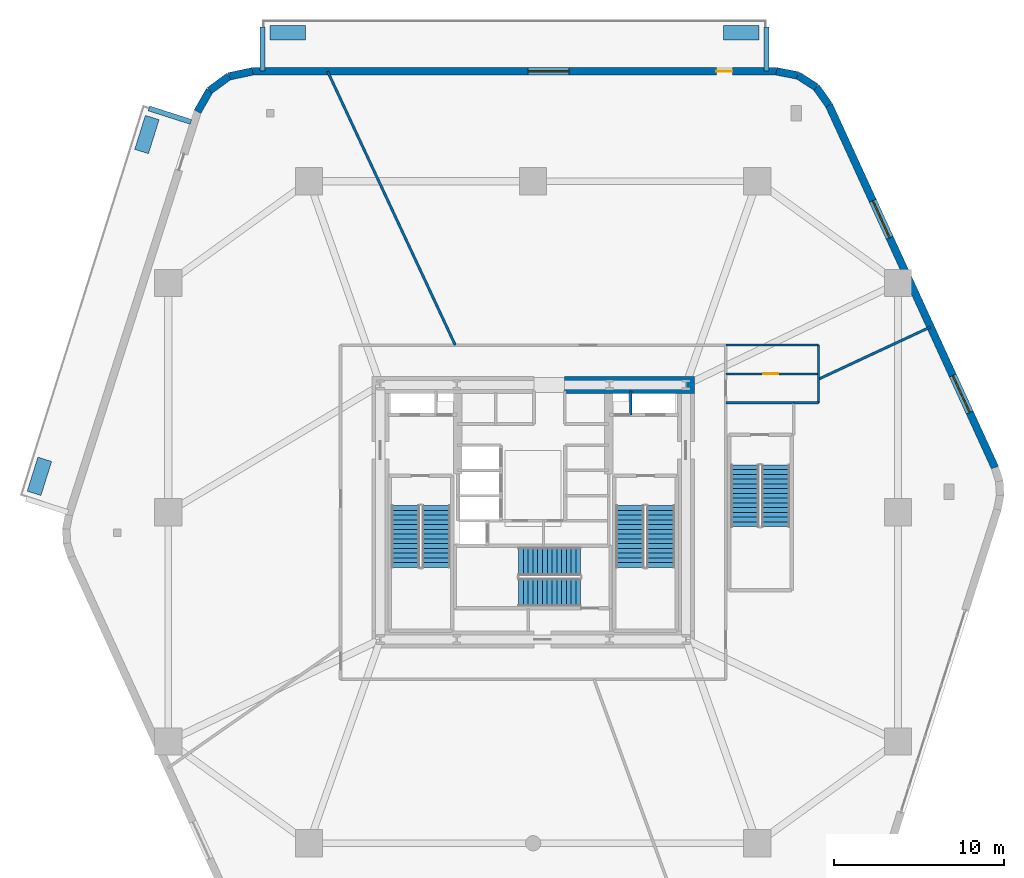
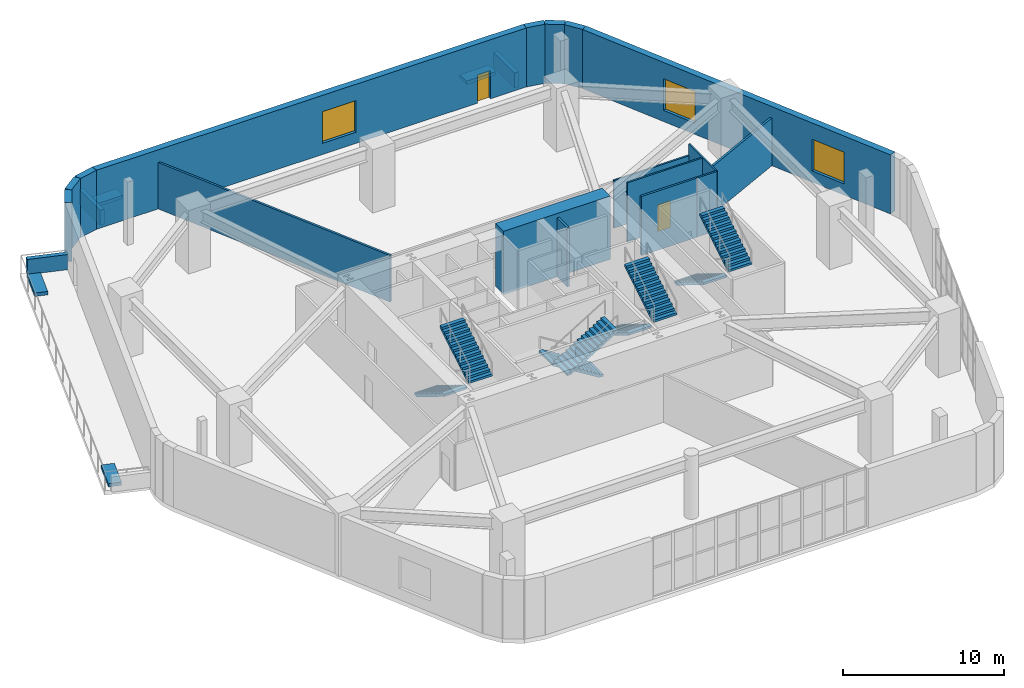
# One storey, part 13 of 15: 20 walls, 8 stair flights, 4 discrete accessories, 3 windows, 2 doors, 5 openings, 4 elements without a shape of their own.
"""IFC4 building model written with IfcOpenShell, lengths in metres."""

import ifcopenshell
import ifcopenshell.guid

model = None  # the IFC model being written
_history = None  # IfcOwnerHistory: only IFC2X3 demands one
_inside = {}  # id of a spatial element -> (the spatial element, [elements in it])
_under = {}  # id of a project, library or spatial element -> (it, [spatial elements below it])
_declared = {}  # id of a project -> (the project, [libraries it declares])
_typed = {}  # id of a type object -> (the type object, [elements of that type])
_made_of = {}  # id of a material, layer set ... -> (it, [elements and type objects made of it])


def new_model(schema):
    """Start an empty IFC model of exactly this schema.

    Asked for "IFC4X3", IfcOpenShell would pick the latest addendum, in which some entities
    have other attributes; the version numbers below select the first issue.
    IFC2X3 requires an IfcOwnerHistory on every rooted entity: one is made here for all.
    """
    global model, _history
    if schema == "IFC4X3":
        model = ifcopenshell.file(schema_version=(4, 3, 0, 0))
    else:
        model = ifcopenshell.file(schema=schema)
    _inside.clear()
    _under.clear()
    _declared.clear()
    _typed.clear()
    _made_of.clear()
    _history = None
    if model.schema == "IFC2X3":
        org = make("IfcOrganization", Name="unknown")
        user = make(
            "IfcPersonAndOrganization",
            ThePerson=make("IfcPerson", FamilyName="unknown"),
            TheOrganization=org,
        )
        app = make(
            "IfcApplication",
            ApplicationDeveloper=org,
            Version="unknown",
            ApplicationFullName="unknown",
            ApplicationIdentifier="unknown",
        )
        _history = make(
            "IfcOwnerHistory",
            OwningUser=user,
            OwningApplication=app,
            ChangeAction="ADDED",
            CreationDate=0,
        )
    return model


def make(cls, **values):
    """One entity of the class cls with the attributes given. An attribute that is None is left unset."""
    return model.create_entity(
        cls, **{name: value for name, value in values.items() if value is not None}
    )


def rooted(cls, **values):
    """An entity with a GlobalId (a new one), such as an element, a storey or a relation."""
    return make(cls, GlobalId=ifcopenshell.guid.new(), OwnerHistory=_history, **values)


def si_unit(unit_type, name, prefix=None):
    """IfcSIUnit, for example si_unit("LENGTHUNIT", "METRE", prefix="MILLI")."""
    return make("IfcSIUnit", UnitType=unit_type, Prefix=prefix, Name=name)


def assignment(units):
    """IfcUnitAssignment: the units of a project."""
    return None if units is None else make("IfcUnitAssignment", Units=units)


def point(xyz):
    """IfcCartesianPoint."""
    return None if xyz is None else make("IfcCartesianPoint", Coordinates=xyz)


def direction(xyz):
    """IfcDirection."""
    return None if xyz is None else make("IfcDirection", DirectionRatios=xyz)


def frame(location, z_axis=None, x_axis=None):
    """IfcAxis2Placement3D, a coordinate frame: its origin and axes. An axis left out is left unset."""
    return make(
        "IfcAxis2Placement3D",
        Location=point(location),
        Axis=direction(z_axis),
        RefDirection=direction(x_axis),
    )


def frame_2d(location, x_axis=None):
    """IfcAxis2Placement2D, a coordinate frame in the plane: its origin and x axis."""
    return make(
        "IfcAxis2Placement2D", Location=point(location), RefDirection=direction(x_axis)
    )


def origin():
    """The frame at (0, 0, 0) with its axes left unset."""
    return frame((0.0, 0.0, 0.0))


def origin_2d():
    """The frame at (0, 0) in the plane with its x axis left unset."""
    return frame_2d((0.0, 0.0))


def place(relative_to, where):
    """IfcLocalPlacement: puts the frame where relative to a parent placement (None: the world)."""
    return make(
        "IfcLocalPlacement", PlacementRelTo=relative_to, RelativePlacement=where
    )


def context(
    kind, dimensions, precision=None, world=None, true_north=None, identifier=None
):
    """IfcGeometricRepresentationContext, for example the 3D "Model" context."""
    return make(
        "IfcGeometricRepresentationContext",
        ContextIdentifier=identifier,
        ContextType=kind,
        CoordinateSpaceDimension=dimensions,
        Precision=precision,
        WorldCoordinateSystem=world,
        TrueNorth=true_north,
    )


def subcontext(parent, identifier, kind, view, scale=None):
    """IfcGeometricRepresentationSubContext, for example "Body" below "Model"."""
    return make(
        "IfcGeometricRepresentationSubContext",
        ContextIdentifier=identifier,
        ContextType=kind,
        ParentContext=parent,
        TargetScale=scale,
        TargetView=view,
    )


def project(units=None, contexts=None):
    """IfcProject with its units and contexts."""
    return rooted(
        "IfcProject",
        Name="project",
        RepresentationContexts=contexts,
        UnitsInContext=assignment(units),
    )


def spatial(cls, under=None, at=None, **own):
    """A site, building, storey or space (cls), placed at a placement, below another one or the project."""
    s = rooted(cls, ObjectPlacement=at, **own)
    if under is not None:
        _under.setdefault(under.id(), (under, []))[1].append(s)
    return s


def polyline(points):
    """IfcPolyline through the points."""
    return make("IfcPolyline", Points=[point(p) for p in points])


def profile(cls, at=None, kind="AREA", **sizes):
    """A parametric profile (cls). Its sizes go by their IFC names, for example OverallWidth=200.0."""
    return make(cls, ProfileType=kind, Position=at, **sizes)


def rectangle(**sizes):
    """IfcRectangleProfileDef."""
    return profile("IfcRectangleProfileDef", **sizes)


def outline(outer, holes=None, kind="AREA"):
    """IfcArbitraryClosedProfileDef: a profile drawn as a closed curve; with holes, ...WithVoids."""
    if holes is None:
        return make("IfcArbitraryClosedProfileDef", ProfileType=kind, OuterCurve=outer)
    return make(
        "IfcArbitraryProfileDefWithVoids",
        ProfileType=kind,
        OuterCurve=outer,
        InnerCurves=holes,
    )


def extrude(swept, where, along, depth):
    """IfcExtrudedAreaSolid: the profile swept, set in the frame where, extruded along a direction by depth."""
    return make(
        "IfcExtrudedAreaSolid",
        SweptArea=swept,
        Position=where,
        ExtrudedDirection=direction(along),
        Depth=depth,
    )


def shape(context_of_items, identifier, shape_type, items):
    """IfcShapeRepresentation: the items that make up one representation, for example the "Body"."""
    return make(
        "IfcShapeRepresentation",
        ContextOfItems=context_of_items,
        RepresentationIdentifier=identifier,
        RepresentationType=shape_type,
        Items=items,
    )


def material(Name=None, Category=None):
    """IfcMaterial."""
    return make("IfcMaterial", Name=Name, Category=Category)


def layer(
    of_material, thickness, ventilated=None, Name=None, Category=None, Priority=None
):
    """IfcMaterialLayer: one layer of a wall or slab, of a material (None: an air gap)."""
    return make(
        "IfcMaterialLayer",
        Material=of_material,
        LayerThickness=thickness,
        IsVentilated=ventilated,
        Name=Name,
        Category=Category,
        Priority=Priority,
    )


def layer_set(layers, Name=None):
    """IfcMaterialLayerSet."""
    return make("IfcMaterialLayerSet", MaterialLayers=layers, LayerSetName=Name)


def made_of(thing, what):
    """Note that an element or type object is made of a material, layer set ...; save() writes the relation."""
    if what is not None:
        _made_of.setdefault(what.id(), (what, []))[1].append(thing)
    return thing


def type_object(cls, material=None, **own):
    """A type object (cls), such as IfcWallType, which elements share."""
    return made_of(rooted(cls, **own), material)


def element(
    cls,
    number,
    at=None,
    inside=None,
    cuts=None,
    type_object=None,
    material=None,
    context=None,
    identifier="Body",
    shape_type=None,
    held_by="IfcProductDefinitionShape",
    body=None,
    shapes=None,
    **own,
):
    """One element of the class cls, such as IfcWall. Its Tag is "e" and its number.

    at: its placement. inside: the storey or other place that contains it. cuts: it is an
    opening in that element (IfcRelVoidsElement). A single representation is given by context,
    identifier, shape_type and body (its items); several are given by shapes. held_by: the class
    of the entity that holds the representations. save() writes the other relations.
    """
    e = rooted(cls, Tag="e%d" % number, ObjectPlacement=at, **own)
    if body is not None:
        shapes = [shape(context, identifier, shape_type, body)]
    if shapes is not None:
        e.Representation = make(held_by, Representations=shapes)
    if inside is not None:
        _inside.setdefault(inside.id(), (inside, []))[1].append(e)
    if cuts is not None:
        rooted(
            "IfcRelVoidsElement", RelatingBuildingElement=cuts, RelatedOpeningElement=e
        )
    if type_object is not None:
        _typed.setdefault(type_object.id(), (type_object, []))[1].append(e)
    return made_of(e, material)


def fill(opening, filler):
    """IfcRelFillsElement: the door or window that sits in an opening."""
    return rooted(
        "IfcRelFillsElement",
        RelatingOpeningElement=opening,
        RelatedBuildingElement=filler,
    )


def aggregate(whole, parts):
    """IfcRelAggregates: a whole, such as a stair, and the parts it consists of."""
    return rooted("IfcRelAggregates", RelatingObject=whole, RelatedObjects=parts)


def save(model, path):
    """Write the relations noted so far, then the file.

    IfcRelAggregates (storeys below a building ...), IfcRelContainedInSpatialStructure (elements
    in a storey), IfcRelDefinesByType, IfcRelAssociatesMaterial and IfcRelDeclares: one each for
    every whole, place, type object, material and project.
    """
    for whole, parts in _under.values():
        aggregate(whole, parts)
    for where, things in _inside.values():
        rooted(
            "IfcRelContainedInSpatialStructure",
            RelatedElements=things,
            RelatingStructure=where,
        )
    for kind, things in _typed.values():
        rooted("IfcRelDefinesByType", RelatedObjects=things, RelatingType=kind)
    for what, things in _made_of.values():
        rooted("IfcRelAssociatesMaterial", RelatedObjects=things, RelatingMaterial=what)
    for by, libraries in _declared.values():
        rooted("IfcRelDeclares", RelatingContext=by, RelatedDefinitions=libraries)
    model.write(path)


model = new_model("IFC4")

# Units and contexts
model_context = context("Model", 3, precision=1e-05, world=origin(), true_north=direction((0.0, 1.0)))
body_context = subcontext(model_context, "Body", "Model", "MODEL_VIEW")
ifc_project = project(units=[si_unit("LENGTHUNIT", "METRE"), si_unit("AREAUNIT", "SQUARE_METRE"), si_unit("VOLUMEUNIT", "CUBIC_METRE"), si_unit("PLANEANGLEUNIT", "RADIAN"), si_unit("MASSUNIT", "GRAM", prefix="KILO")], contexts=[model_context])

# Site, building, storey
site_placement = place(None, origin())
site = spatial("IfcSite", under=ifc_project, at=site_placement, CompositionType="ELEMENT")
building_placement = place(site_placement, origin())
building = spatial("IfcBuilding", under=site, at=building_placement, Name="Kilnhurst Terrace Hotel", CompositionType="ELEMENT")
storey_placement = place(building_placement, frame((0.0, 0.0, 23.39990234375)))
storey = spatial("IfcBuildingStorey", under=building, at=storey_placement, Name="L04", CompositionType="ELEMENT", Elevation=23.39990234375)

# Walls
ifc_material_1 = material(Name="Precast concrete C40/50", Category="concrete")
ifc_layer_1 = layer(ifc_material_1, 0.449951171875, Name="Precast concrete C40/50")
ifc_layer_set_1 = layer_set([ifc_layer_1], Name="Precast concrete C40/50")
wall_type_1 = type_object("IfcWallType", Name="WL-BRK-450", PredefinedType="SOLIDWALL", material=ifc_layer_set_1)
wall_1_placement = place(storey_placement, frame((17.426513671875, 23.98583984375, 0.0), z_axis=(0.0, 0.0, 1.0), x_axis=(-0.580668110146, 0.814140372331, 0.0)))
element("IfcWall", 1, at=wall_1_placement, inside=storey, type_object=wall_type_1, Name="L04 Rounded Corner Brick Wall C4.1", PredefinedType="SOLIDWALL", context=body_context, shape_type="SweptSolid", body=[
    extrude(rectangle(XDim=1.296630859375, YDim=0.449951171875, at=frame_2d((0.6484375, 0.0))), origin(), (0.0, 0.0, 1.0), 4.47998046875),
])
wall_2_placement = place(storey_placement, frame((16.673583984375, 25.04150390625, 0.0), z_axis=(0.0, 0.0, 1.0), x_axis=(-0.84167601366, 0.539982859014, 0.0)))
element("IfcWall", 2, at=wall_2_placement, inside=storey, type_object=wall_type_1, Name="L04 Rounded Corner Brick Wall C4.2", PredefinedType="SOLIDWALL", context=body_context, shape_type="SweptSolid", body=[
    extrude(rectangle(XDim=1.274658203125, YDim=0.449951171875, at=frame_2d((0.63720703125, 0.0))), origin(), (0.0, 0.0, 1.0), 4.47998046875),
])
wall_3_placement = place(storey_placement, frame((15.600830078125, 25.729736328125, 0.0), z_axis=(0.0, 0.0, 1.0), x_axis=(-0.981932506301, 0.189231480121, 0.0)))
element("IfcWall", 3, at=wall_3_placement, inside=storey, type_object=wall_type_1, Name="L04 Rounded Corner Brick Wall C4.3", PredefinedType="SOLIDWALL", context=body_context, shape_type="SweptSolid", body=[
    extrude(rectangle(XDim=1.296630859375, YDim=0.449951171875, at=frame_2d((0.6484375, 0.0))), origin(), (0.0, 0.0, 1.0), 4.47998046875),
])
wall_4_placement = place(storey_placement, frame((-16.526123046875, 25.97509765625, 0.0), z_axis=(0.0, 0.0, 1.0), x_axis=(-0.977966843806, -0.208760274995, 0.0)))
element("IfcWall", 4, at=wall_4_placement, inside=storey, type_object=wall_type_1, Name="L04 Rounded Corner Brick Wall C5.1", PredefinedType="SOLIDWALL", context=body_context, shape_type="SweptSolid", body=[
    extrude(rectangle(XDim=1.431396484375, YDim=0.449951171875, at=frame_2d((0.7158203125, 0.0))), origin(), (0.0, 0.0, 1.0), 4.47998046875),
])
wall_5_placement = place(storey_placement, frame((-17.926025390625, 25.67626953125, 0.0), z_axis=(0.0, 0.0, 1.0), x_axis=(-0.80747376574, -0.589903481632, 0.0)))
element("IfcWall", 5, at=wall_5_placement, inside=storey, type_object=wall_type_1, Name="L04 Rounded Corner Brick Wall C5.2", PredefinedType="SOLIDWALL", context=body_context, shape_type="SweptSolid", body=[
    extrude(rectangle(XDim=1.4072265625, YDim=0.449951171875, at=frame_2d((0.70361328125, 0.0))), origin(), (0.0, 0.0, 1.0), 4.47998046875),
])
wall_6_placement = place(storey_placement, frame((-19.062255859375, 24.84619140625, 0.0), z_axis=(0.0, 0.0, 1.0), x_axis=(-0.496194045245, -0.868211650154, 0.0)))
element("IfcWall", 6, at=wall_6_placement, inside=storey, type_object=wall_type_1, Name="L04 Rounded Corner Brick Wall C5.3", PredefinedType="SOLIDWALL", context=body_context, shape_type="SweptSolid", body=[
    extrude(rectangle(XDim=1.431396484375, YDim=0.449951171875, at=frame_2d((0.7158203125, 0.0))), origin(), (0.0, 0.0, 1.0), 4.47998046875),
])

# Wall, openings, windows
wall_7_placement = place(storey_placement, frame((27.209716796875, 2.626220703125, 0.0), z_axis=(0.0, 0.0, 1.0), x_axis=(-0.416421752646, 0.909171559126, 0.0)))
wall_7 = element("IfcWall", 7, at=wall_7_placement, inside=storey, type_object=wall_type_1, Name="L04 Exterior Brick Facade Wall F3", PredefinedType="SOLIDWALL", context=body_context, shape_type="SweptSolid", body=[
    extrude(rectangle(XDim=23.493408203125, YDim=0.449951171875, at=frame_2d((11.74658203125, 0.0))), origin(), (0.0, 0.0, 1.0), 4.47998046875),
])
opening_1_placement = place(wall_7_placement, frame((3.570068359375, 0.0, 0.85009765625)))
opening_1 = element("IfcOpeningElement", 8, at=opening_1_placement, cuts=wall_7, Name="Opening W-07", PredefinedType="OPENING", context=body_context, shape_type="SweptSolid", body=[
    extrude(rectangle(XDim=2.39990234375, YDim=2.39990234375, at=frame_2d((1.199951171875, 1.199951171875))), frame((0.0, 0.23486328125, 0.0), z_axis=(0.0, -1.0, 0.0), x_axis=(1.0, 0.0, 0.0)), (0.0, 0.0, 1.0), 0.469970703125),
])
opening_2_placement = place(wall_7_placement, frame((14.89599609375, 0.0, 0.85009765625)))
opening_2 = element("IfcOpeningElement", 9, at=opening_2_placement, cuts=wall_7, Name="Opening W-07", PredefinedType="OPENING", context=body_context, shape_type="SweptSolid", body=[
    extrude(rectangle(XDim=2.39990234375, YDim=2.39990234375, at=frame_2d((1.199951171875, 1.199951171875))), frame((0.0, 0.23486328125, 0.0), z_axis=(0.0, -1.0, 0.0), x_axis=(1.0, 0.0, 0.0)), (0.0, 0.0, 1.0), 0.469970703125),
])
ifc_material_2 = material(Name="Thermally Broken Bronze Aluminium Alloy 6063-T6 and Low-E Glass", Category="aluminium")
window_type = type_object("IfcWindowType", Name="WIN-2400X2400", PartitioningType="SINGLE_PANEL", PredefinedType="WINDOW", material=ifc_material_2)
window_1_placement = place(opening_1_placement, origin())
window_1 = element("IfcWindow", 10, at=window_1_placement, inside=storey, type_object=window_type, Name="L04 Deep-Set Masonry Window F3.1", OverallHeight=2.39990234375, OverallWidth=2.39990234375, PartitioningType="SINGLE_PANEL", PredefinedType="WINDOW", context=body_context, shape_type="SweptSolid", body=[
    extrude(rectangle(XDim=2.39990234375, YDim=2.39990234375, at=frame_2d((1.199951171875, 1.199951171875))), frame((0.0, 0.030029296875, 0.0), z_axis=(0.0, -1.0, 0.0), x_axis=(1.0, 0.0, 0.0)), (0.0, 0.0, 1.0), 0.06005859375),
])
fill(opening_1, window_1)
window_2_placement = place(opening_2_placement, origin())
window_2 = element("IfcWindow", 11, at=window_2_placement, inside=storey, type_object=window_type, Name="L04 Deep-Set Masonry Window F3.2", OverallHeight=2.39990234375, OverallWidth=2.39990234375, PartitioningType="SINGLE_PANEL", PredefinedType="WINDOW", context=body_context, shape_type="SweptSolid", body=[
    extrude(rectangle(XDim=2.39990234375, YDim=2.39990234375, at=frame_2d((1.199951171875, 1.199951171875))), frame((0.0, 0.030029296875, 0.0), z_axis=(0.0, -1.0, 0.0), x_axis=(1.0, 0.0, 0.0)), (0.0, 0.0, 1.0), 0.06005859375),
])
fill(opening_2, window_2)

# Wall, openings, door, window
wall_8_placement = place(storey_placement, frame((14.32763671875, 25.97509765625, 0.0), z_axis=(0.0, 0.0, 1.0), x_axis=(-1.0, 0.0, 0.0)))
wall_8 = element("IfcWall", 12, at=wall_8_placement, inside=storey, type_object=wall_type_1, Name="L04 Exterior Brick Facade Wall F4", PredefinedType="SOLIDWALL", context=body_context, shape_type="SweptSolid", body=[
    extrude(rectangle(XDim=30.853759765625, YDim=0.449951171875, at=frame_2d((15.4267578125, 0.0))), origin(), (0.0, 0.0, 1.0), 4.47998046875),
])
opening_3_placement = place(wall_8_placement, frame((2.5849609375, 0.0, 0.0)))
opening_3 = element("IfcOpeningElement", 13, at=opening_3_placement, cuts=wall_8, Name="Opening BD-950", PredefinedType="OPENING", context=body_context, shape_type="SweptSolid", body=[
    extrude(rectangle(XDim=0.949951171875, YDim=2.14990234375, at=frame_2d((0.47509765625, 1.074951171875))), frame((0.0, 0.23486328125, 0.0), z_axis=(0.0, -1.0, 0.0), x_axis=(1.0, 0.0, 0.0)), (0.0, 0.0, 1.0), 0.469970703125),
])
opening_4_placement = place(wall_8_placement, frame((12.22998046875, 0.0, 0.85009765625)))
opening_4 = element("IfcOpeningElement", 14, at=opening_4_placement, cuts=wall_8, Name="Opening W-07", PredefinedType="OPENING", context=body_context, shape_type="SweptSolid", body=[
    extrude(rectangle(XDim=2.39990234375, YDim=2.39990234375, at=frame_2d((1.199951171875, 1.199951171875))), frame((0.0, 0.23486328125, 0.0), z_axis=(0.0, -1.0, 0.0), x_axis=(1.0, 0.0, 0.0)), (0.0, 0.0, 1.0), 0.469970703125),
])
ifc_material_3 = material(Name="Thermally Broken Bronze Aluminium Alloy 6063-T6 and Laminated Glass", Category="aluminium")
door_type_1 = type_object("IfcDoorType", Name="DR-EXT-BAL-950", OperationType="NOTDEFINED", PredefinedType="DOOR", material=ifc_material_3)
door_1_placement = place(opening_3_placement, origin())
door_1 = element("IfcDoor", 15, at=door_1_placement, inside=storey, type_object=door_type_1, Name="L04 Planted Balcony Door TERR-1", OperationType="SINGLE_SWING_RIGHT", OverallHeight=2.14990234375, OverallWidth=0.949951171875, PredefinedType="DOOR", context=body_context, shape_type="SweptSolid", body=[
    extrude(rectangle(XDim=0.949951171875, YDim=2.14990234375, at=frame_2d((0.47509765625, 1.074951171875))), frame((0.0, 0.02490234375, 0.0), z_axis=(0.0, -1.0, 0.0), x_axis=(1.0, 0.0, 0.0)), (0.0, 0.0, 1.0), 0.050048828125),
])
fill(opening_3, door_1)
window_3_placement = place(opening_4_placement, origin())
window_3 = element("IfcWindow", 16, at=window_3_placement, inside=storey, type_object=window_type, Name="L04 Deep-Set Masonry Window F4.1", OverallHeight=2.39990234375, OverallWidth=2.39990234375, PartitioningType="SINGLE_PANEL", PredefinedType="WINDOW", context=body_context, shape_type="SweptSolid", body=[
    extrude(rectangle(XDim=2.39990234375, YDim=2.39990234375, at=frame_2d((1.199951171875, 1.199951171875))), frame((0.0, 0.030029296875, 0.0), z_axis=(0.0, -1.0, 0.0), x_axis=(1.0, 0.0, 0.0)), (0.0, 0.0, 1.0), 0.06005859375),
])
fill(opening_4, window_3)

# Walls
ifc_material_4 = material(Name="Acoustic Double-Gypsum Corridor Partition Assembly")
ifc_layer_2 = layer(ifc_material_4, 0.14990234375, Name="Acoustic Double-Gypsum Corridor Partition Assembly")
ifc_layer_set_2 = layer_set([ifc_layer_2], Name="Acoustic Double-Gypsum Corridor Partition Assembly")
wall_type_2 = type_object("IfcWallType", Name="WL-COR-150", PredefinedType="PARTITIONING", material=ifc_layer_set_2)
wall_9_placement = place(storey_placement, frame((11.35009765625, 6.449951171875, 0.0), z_axis=(0.0, 0.0, 1.0), x_axis=(1.0, 0.0, 0.0)))
element("IfcWall", 17, at=wall_9_placement, inside=storey, type_object=wall_type_2, Name="L04 Interior Wall WL-L04-ST4-VEST-N", PredefinedType="PARTITIONING", context=body_context, shape_type="SweptSolid", body=[
    extrude(rectangle(XDim=4.0, YDim=0.14990234375, at=frame_2d((2.0, 0.0))), origin(), (0.0, 0.0, 1.0), 4.47998046875),
])
ifc_material_5 = material(Name="Concrete C80/95", Category="concrete")
ifc_layer_3 = layer(ifc_material_5, 1.0, Name="Concrete C80/95")
ifc_layer_set_3 = layer_set([ifc_layer_3], Name="Concrete C80/95")
wall_type_3 = type_object("IfcWallType", Name="WL-CORE-1000", PredefinedType="SHEAR", material=ifc_layer_set_3)
wall_10_placement = place(storey_placement, frame((1.85009765625, 7.5, 0.0), z_axis=(0.0, 0.0, 1.0), x_axis=(1.0, 0.0, 0.0)))
element("IfcWall", 18, at=wall_10_placement, inside=storey, type_object=wall_type_3, Name="L04 Core North East Shear Wall", PredefinedType="SHEAR", context=body_context, shape_type="SweptSolid", body=[
    extrude(rectangle(XDim=7.64990234375, YDim=1.0, at=frame_2d((3.824951171875, 0.0))), origin(), (0.0, 0.0, 1.0), 4.800048828125),
])
ifc_layer_4 = layer(ifc_material_1, 0.300048828125, Name="Precast concrete C40/50")
ifc_layer_set_4 = layer_set([ifc_layer_4], Name="Precast concrete C40/50")
wall_type_4 = type_object("IfcWallType", Name="WL-PAR-300", PredefinedType="PARAPET", material=ifc_layer_set_4)
for number, where, z_axis, x_axis, name in (
    (19, (13.749267578125, 26.0, 0.0), (0.0, 0.0, 1.0), (0.0, 1.0, 0.0), "L04 Terrace End Parapet Wall TERR-1.1"),
    (20, (-15.949951171875, 26.0, 0.0), (0.0, 0.0, 1.0), (0.0, 1.0, 0.0), "L04 Terrace End Parapet Wall TERR-1.2"),
    (21, (-20.161865234375, 23.0, 0.0), (0.0, 0.0, 1.0), (-0.952688718621, 0.303947701772, 0.0), "L04 Terrace End Parapet Wall TERR-2.1"),
):
    element("IfcWall", number, at=place(storey_placement, frame(where, z_axis=z_axis, x_axis=x_axis)), inside=storey, type_object=wall_type_4, Name=name, PredefinedType="PARAPET", context=body_context, shape_type="SweptSolid", body=[
        extrude(rectangle(XDim=2.60009765625, YDim=0.300048828125, at=frame_2d((1.300048828125, 0.0))), origin(), (0.0, 0.0, 1.0), 1.150146484375),
    ])
ifc_material_6 = material(Name="120 mm Moisture-Resistant Tile-Backed Bathroom Partition")
ifc_layer_5 = layer(ifc_material_6, 0.1201171875, Name="120 mm Moisture-Resistant Tile-Backed Bathroom Partition")
ifc_layer_set_5 = layer_set([ifc_layer_5], Name="120 mm Moisture-Resistant Tile-Backed Bathroom Partition")
wall_type_5 = type_object("IfcWallType", Name="WL-PART-120", PredefinedType="PARTITIONING", material=ifc_layer_set_5)
wall_11_placement = place(storey_placement, frame((15.35009765625, 6.449951171875, 0.0), z_axis=(0.0, 0.0, 1.0), x_axis=(1.0, 0.0, 0.0)))
element("IfcWall", 22, at=wall_11_placement, inside=storey, type_object=wall_type_5, Name="L04 Interior Wall WL-L04-PWC-S", PredefinedType="PARTITIONING", context=body_context, shape_type="SweptSolid", body=[
    extrude(rectangle(XDim=1.449951171875, YDim=0.1201171875, at=frame_2d((0.72509765625, 0.0))), origin(), (0.0, 0.0, 1.0), 4.47998046875),
])
wall_12_placement = place(storey_placement, frame((16.800048828125, 6.449951171875, 0.0), z_axis=(0.0, 0.0, 1.0), x_axis=(0.0, 1.0, 0.0)))
element("IfcWall", 23, at=wall_12_placement, inside=storey, type_object=wall_type_5, Name="L04 Interior Wall WL-L04-PWC-E", PredefinedType="PARTITIONING", context=body_context, shape_type="SweptSolid", body=[
    extrude(rectangle(XDim=3.400146484375, YDim=0.1201171875, at=frame_2d((1.7001953125, 0.0))), origin(), (0.0, 0.0, 1.0), 4.47998046875),
])
wall_13_placement = place(storey_placement, frame((11.35009765625, 9.85009765625, 0.0), z_axis=(0.0, 0.0, 1.0), x_axis=(1.0, 0.0, 0.0)))
element("IfcWall", 24, at=wall_13_placement, inside=storey, type_object=wall_type_5, Name="L04 Interior Wall WL-L04-PWC-N", PredefinedType="PARTITIONING", context=body_context, shape_type="SweptSolid", body=[
    extrude(rectangle(XDim=5.449951171875, YDim=0.1201171875, at=frame_2d((2.72509765625, 0.0))), origin(), (0.0, 0.0, 1.0), 3.614501953125),
])

# Wall, opening, door
wall_14_placement = place(storey_placement, frame((11.35009765625, 8.14990234375, 0.0), z_axis=(0.0, 0.0, 1.0), x_axis=(1.0, 0.0, 0.0)))
wall_14 = element("IfcWall", 25, at=wall_14_placement, inside=storey, type_object=wall_type_5, Name="L04 Interior Wall WL-L04-PWC-MID", PredefinedType="PARTITIONING", context=body_context, shape_type="SweptSolid", body=[
    extrude(rectangle(XDim=5.449951171875, YDim=0.1201171875, at=frame_2d((2.72509765625, 0.0))), origin(), (0.0, 0.0, 1.0), 4.47998046875),
])
opening_5_placement = place(wall_14_placement, frame((2.199951171875, 0.0, 0.0)))
opening_5 = element("IfcOpeningElement", 26, at=opening_5_placement, cuts=wall_14, Name="Opening D-09B", PredefinedType="OPENING", context=body_context, shape_type="SweptSolid", body=[
    extrude(rectangle(XDim=0.89990234375, YDim=2.030029296875, at=frame_2d((0.449951171875, 1.01513671875))), frame((0.0, 0.070068359375, 0.0), z_axis=(0.0, -1.0, 0.0), x_axis=(1.0, 0.0, 0.0)), (0.0, 0.0, 1.0), 0.14013671875),
])
ifc_material_7 = material(Name="Moisture-Resistant Solid-Core Restroom Door")
door_type_2 = type_object("IfcDoorType", Name="DR-INT-900", OperationType="NOTDEFINED", PredefinedType="DOOR", material=ifc_material_7)
door_2_placement = place(opening_5_placement, origin())
door_2 = element("IfcDoor", 27, at=door_2_placement, inside=storey, type_object=door_type_2, Name="L04 Accessible Restroom Door", OperationType="SINGLE_SWING_RIGHT", OverallHeight=2.030029296875, OverallWidth=0.89990234375, PredefinedType="DOOR", context=body_context, shape_type="SweptSolid", body=[
    extrude(rectangle(XDim=0.89990234375, YDim=2.030029296875, at=frame_2d((0.449951171875, 1.01513671875))), frame((0.0, 0.02490234375, 0.0), z_axis=(0.0, -1.0, 0.0), x_axis=(1.0, 0.0, 0.0)), (0.0, 0.0, 1.0), 0.050048828125),
])
fill(opening_5, door_2)

# Walls
ifc_material_8 = material(Name="150 mm Acoustic Gypsum Hospitality Partition")
ifc_layer_6 = layer(ifc_material_8, 0.14990234375, Name="150 mm Acoustic Gypsum Hospitality Partition")
ifc_layer_set_6 = layer_set([ifc_layer_6], Name="150 mm Acoustic Gypsum Hospitality Partition")
wall_type_6 = type_object("IfcWallType", Name="WL-PART-150", PredefinedType="PARTITIONING", material=ifc_layer_set_6)
wall_15_placement = place(storey_placement, frame((16.800048828125, 7.833984375, 0.0), z_axis=(0.0, 0.0, 1.0), x_axis=(0.906307919131, 0.422617978463, 0.0)))
element("IfcWall", 28, at=wall_15_placement, inside=storey, type_object=wall_type_6, Name="L04 Interior Wall WL-L04-PDIV-3-1", PredefinedType="PARTITIONING", context=body_context, shape_type="SweptSolid", body=[
    extrude(rectangle(XDim=7.295654296875, YDim=0.14990234375, at=frame_2d((3.64794921875, 0.0))), origin(), (0.0, 0.0, 1.0), 3.614501953125),
])
wall_16_placement = place(storey_placement, frame((-4.593017578125, 9.85009765625, 0.0), z_axis=(0.0, 0.0, 1.0), x_axis=(-0.422621776004, 0.906306148301, 0.0)))
element("IfcWall", 29, at=wall_16_placement, inside=storey, type_object=wall_type_6, Name="L04 Interior Wall WL-L04-PDIV-4-1", PredefinedType="PARTITIONING", context=body_context, shape_type="SweptSolid", body=[
    extrude(rectangle(XDim=17.7919921875, YDim=0.14990234375, at=frame_2d((8.89599609375, 0.0))), origin(), (0.0, 0.0, 1.0), 3.52197265625),
])
ifc_material_9 = material(Name="Fire-Rated Gypsum Shaftliner Assembly")
ifc_layer_7 = layer(ifc_material_9, 0.14990234375, Name="Fire-Rated Gypsum Shaftliner Assembly")
ifc_layer_set_7 = layer_set([ifc_layer_7], Name="Fire-Rated Gypsum Shaftliner Assembly")
wall_type_7 = type_object("IfcWallType", Name="WL-SHAFT-150", PredefinedType="PARTITIONING", material=ifc_layer_set_7)
wall_17_placement = place(storey_placement, frame((5.75, 5.739990234375, 0.0), z_axis=(0.0, 0.0, 1.0), x_axis=(0.0, 1.0, 0.0)))
element("IfcWall", 30, at=wall_17_placement, inside=storey, type_object=wall_type_7, Name="L04 Interior Wall WL-L04-RIS2-DIV", PredefinedType="PARTITIONING", context=body_context, shape_type="SweptSolid", body=[
    extrude(rectangle(XDim=1.409912109375, YDim=0.14990234375, at=frame_2d((0.705078125, 0.0))), origin(), (0.0, 0.0, 1.0), 4.47998046875),
])

# Stair, stair flights
ifc_material_10 = material(Name="Concrete C50/60", Category="concrete")
stair_type_1 = type_object("IfcStairType", Name="STR-CORE-1660", PredefinedType="HALF_TURN_STAIR", material=ifc_material_10)
stair_1_placement = place(storey_placement, origin())
stair_1 = element("IfcStair", 31, at=stair_1_placement, inside=storey, type_object=stair_type_1, Name="L04 ST-1", PredefinedType="HALF_TURN_STAIR")
stair_flight_type = type_object("IfcStairFlightType", Name="FLT-RC-1660", PredefinedType="STRAIGHT", material=ifc_material_10)
stair_flight_1_placement = place(storey_placement, frame((-7.52001953125, 0.389892578125, 0.0), z_axis=(0.0, 0.0, 1.0), x_axis=(0.0, -1.0, 0.0)))
stair_flight_1 = element("IfcStairFlight", 32, at=stair_flight_1_placement, type_object=stair_flight_type, Name="ST-1 flight 1", NumberOfRisers=14, NumberOfTreads=13, PredefinedType="STRAIGHT", RiserHeight=0.171428571, TreadLength=0.28, context=body_context, shape_type="SweptSolid", body=[
    extrude(outline(polyline([(0.0, 0.0), (0.0, 0.17138671875), (0.280029296875, 0.17138671875), (0.280029296875, 0.3427734375), (0.56005859375, 0.3427734375), (0.56005859375, 0.514404296875), (0.840087890625, 0.514404296875), (0.840087890625, 0.685791015625), (1.1201171875, 0.685791015625), (1.1201171875, 0.857177734375), (1.39990234375, 0.857177734375), (1.39990234375, 1.028564453125), (1.679931640625, 1.028564453125), (1.679931640625, 1.199951171875), (1.9599609375, 1.199951171875), (1.9599609375, 1.371337890625), (2.239990234375, 1.371337890625), (2.239990234375, 1.54296875), (2.52001953125, 1.54296875), (2.52001953125, 1.71435546875), (2.800048828125, 1.71435546875), (2.800048828125, 1.8857421875), (3.080078125, 1.8857421875), (3.080078125, 2.05712890625), (3.360107421875, 2.05712890625), (3.360107421875, 2.228515625), (3.639892578125, 2.228515625), (3.639892578125, 2.39990234375), (3.639892578125, 2.052734375), (0.287109375, 0.0), (0.0, 0.0)])), frame((0.0, 0.830078125, 0.0), z_axis=(0.0, -1.0, 0.0), x_axis=(1.0, 0.0, 0.0)), (0.0, 0.0, 1.0), 1.659912109375),
])
stair_flight_2_placement = place(storey_placement, frame((-5.7099609375, -3.25, 2.400146484375), z_axis=(0.0, 0.0, 1.0), x_axis=(0.0, 1.0, 0.0)))
stair_flight_2 = element("IfcStairFlight", 33, at=stair_flight_2_placement, type_object=stair_flight_type, Name="ST-1 flight 2", NumberOfRisers=14, NumberOfTreads=13, PredefinedType="STRAIGHT", RiserHeight=0.171428571, TreadLength=0.28, context=body_context, shape_type="SweptSolid", body=[
    extrude(outline(polyline([(0.0, 0.0), (0.0, 0.17138671875), (0.280029296875, 0.17138671875), (0.280029296875, 0.3427734375), (0.56005859375, 0.3427734375), (0.56005859375, 0.514404296875), (0.840087890625, 0.514404296875), (0.840087890625, 0.685791015625), (1.1201171875, 0.685791015625), (1.1201171875, 0.857177734375), (1.39990234375, 0.857177734375), (1.39990234375, 1.028564453125), (1.679931640625, 1.028564453125), (1.679931640625, 1.199951171875), (1.9599609375, 1.199951171875), (1.9599609375, 1.371337890625), (2.239990234375, 1.371337890625), (2.239990234375, 1.54296875), (2.52001953125, 1.54296875), (2.52001953125, 1.71435546875), (2.800048828125, 1.71435546875), (2.800048828125, 1.8857421875), (3.080078125, 1.8857421875), (3.080078125, 2.05712890625), (3.360107421875, 2.05712890625), (3.360107421875, 2.228515625), (3.639892578125, 2.228515625), (3.639892578125, 2.39990234375), (3.639892578125, 2.052734375), (0.287109375, 0.0), (0.0, 0.0)])), frame((0.0, 0.830078125, 0.0), z_axis=(0.0, -1.0, 0.0), x_axis=(1.0, 0.0, 0.0)), (0.0, 0.0, 1.0), 1.659912109375),
])
aggregate(stair_1, [stair_flight_1, stair_flight_2])

stair_2_placement = place(storey_placement, origin())
stair_2 = element("IfcStair", 34, at=stair_2_placement, inside=storey, type_object=stair_type_1, Name="L04 ST-2", PredefinedType="HALF_TURN_STAIR")
stair_flight_3_placement = place(storey_placement, frame((5.7099609375, 0.389892578125, 0.0), z_axis=(0.0, 0.0, 1.0), x_axis=(0.0, -1.0, 0.0)))
stair_flight_3 = element("IfcStairFlight", 35, at=stair_flight_3_placement, type_object=stair_flight_type, Name="ST-2 flight 1", NumberOfRisers=14, NumberOfTreads=13, PredefinedType="STRAIGHT", RiserHeight=0.171428571, TreadLength=0.28, context=body_context, shape_type="SweptSolid", body=[
    extrude(outline(polyline([(0.0, 0.0), (0.0, 0.17138671875), (0.280029296875, 0.17138671875), (0.280029296875, 0.3427734375), (0.56005859375, 0.3427734375), (0.56005859375, 0.514404296875), (0.840087890625, 0.514404296875), (0.840087890625, 0.685791015625), (1.1201171875, 0.685791015625), (1.1201171875, 0.857177734375), (1.39990234375, 0.857177734375), (1.39990234375, 1.028564453125), (1.679931640625, 1.028564453125), (1.679931640625, 1.199951171875), (1.9599609375, 1.199951171875), (1.9599609375, 1.371337890625), (2.239990234375, 1.371337890625), (2.239990234375, 1.54296875), (2.52001953125, 1.54296875), (2.52001953125, 1.71435546875), (2.800048828125, 1.71435546875), (2.800048828125, 1.8857421875), (3.080078125, 1.8857421875), (3.080078125, 2.05712890625), (3.360107421875, 2.05712890625), (3.360107421875, 2.228515625), (3.639892578125, 2.228515625), (3.639892578125, 2.39990234375), (3.639892578125, 2.052734375), (0.287109375, 0.0), (0.0, 0.0)])), frame((0.0, 0.830078125, 0.0), z_axis=(0.0, -1.0, 0.0), x_axis=(1.0, 0.0, 0.0)), (0.0, 0.0, 1.0), 1.659912109375),
])
stair_flight_4_placement = place(storey_placement, frame((7.52001953125, -3.25, 2.400146484375), z_axis=(0.0, 0.0, 1.0), x_axis=(0.0, 1.0, 0.0)))
stair_flight_4 = element("IfcStairFlight", 36, at=stair_flight_4_placement, type_object=stair_flight_type, Name="ST-2 flight 2", NumberOfRisers=14, NumberOfTreads=13, PredefinedType="STRAIGHT", RiserHeight=0.171428571, TreadLength=0.28, context=body_context, shape_type="SweptSolid", body=[
    extrude(outline(polyline([(0.0, 0.0), (0.0, 0.17138671875), (0.280029296875, 0.17138671875), (0.280029296875, 0.3427734375), (0.56005859375, 0.3427734375), (0.56005859375, 0.514404296875), (0.840087890625, 0.514404296875), (0.840087890625, 0.685791015625), (1.1201171875, 0.685791015625), (1.1201171875, 0.857177734375), (1.39990234375, 0.857177734375), (1.39990234375, 1.028564453125), (1.679931640625, 1.028564453125), (1.679931640625, 1.199951171875), (1.9599609375, 1.199951171875), (1.9599609375, 1.371337890625), (2.239990234375, 1.371337890625), (2.239990234375, 1.54296875), (2.52001953125, 1.54296875), (2.52001953125, 1.71435546875), (2.800048828125, 1.71435546875), (2.800048828125, 1.8857421875), (3.080078125, 1.8857421875), (3.080078125, 2.05712890625), (3.360107421875, 2.05712890625), (3.360107421875, 2.228515625), (3.639892578125, 2.228515625), (3.639892578125, 2.39990234375), (3.639892578125, 2.052734375), (0.287109375, 0.0), (0.0, 0.0)])), frame((0.0, 0.830078125, 0.0), z_axis=(0.0, -1.0, 0.0), x_axis=(1.0, 0.0, 0.0)), (0.0, 0.0, 1.0), 1.659912109375),
])
aggregate(stair_2, [stair_flight_3, stair_flight_4])

stair_3_placement = place(storey_placement, origin())
stair_3 = element("IfcStair", 37, at=stair_3_placement, inside=storey, type_object=stair_type_1, Name="L04 ST-3", PredefinedType="HALF_TURN_STAIR")
stair_flight_5_placement = place(storey_placement, frame((2.7900390625, -2.909912109375, 0.0), z_axis=(0.0, 0.0, 1.0), x_axis=(-1.0, 0.0, 0.0)))
stair_flight_5 = element("IfcStairFlight", 38, at=stair_flight_5_placement, type_object=stair_flight_type, Name="ST-3 flight 1", NumberOfRisers=14, NumberOfTreads=13, PredefinedType="STRAIGHT", RiserHeight=0.171428571, TreadLength=0.28, context=body_context, shape_type="SweptSolid", body=[
    extrude(outline(polyline([(0.0, 0.0), (0.0, 0.17138671875), (0.280029296875, 0.17138671875), (0.280029296875, 0.3427734375), (0.56005859375, 0.3427734375), (0.56005859375, 0.514404296875), (0.840087890625, 0.514404296875), (0.840087890625, 0.685791015625), (1.1201171875, 0.685791015625), (1.1201171875, 0.857177734375), (1.39990234375, 0.857177734375), (1.39990234375, 1.028564453125), (1.679931640625, 1.028564453125), (1.679931640625, 1.199951171875), (1.9599609375, 1.199951171875), (1.9599609375, 1.371337890625), (2.239990234375, 1.371337890625), (2.239990234375, 1.54296875), (2.52001953125, 1.54296875), (2.52001953125, 1.71435546875), (2.800048828125, 1.71435546875), (2.800048828125, 1.8857421875), (3.080078125, 1.8857421875), (3.080078125, 2.05712890625), (3.360107421875, 2.05712890625), (3.360107421875, 2.228515625), (3.639892578125, 2.228515625), (3.639892578125, 2.39990234375), (3.639892578125, 2.052734375), (0.287109375, 0.0), (0.0, 0.0)])), frame((0.0, 0.830078125, 0.0), z_axis=(0.0, -1.0, 0.0), x_axis=(1.0, 0.0, 0.0)), (0.0, 0.0, 1.0), 1.659912109375),
])
stair_flight_6_placement = place(storey_placement, frame((-0.85009765625, -4.719970703125, 2.400146484375), z_axis=(0.0, 0.0, 1.0), x_axis=(1.0, 0.0, 0.0)))
stair_flight_6 = element("IfcStairFlight", 39, at=stair_flight_6_placement, type_object=stair_flight_type, Name="ST-3 flight 2", NumberOfRisers=14, NumberOfTreads=13, PredefinedType="STRAIGHT", RiserHeight=0.171428571, TreadLength=0.28, context=body_context, shape_type="SweptSolid", body=[
    extrude(outline(polyline([(0.0, 0.0), (0.0, 0.17138671875), (0.280029296875, 0.17138671875), (0.280029296875, 0.3427734375), (0.56005859375, 0.3427734375), (0.56005859375, 0.514404296875), (0.840087890625, 0.514404296875), (0.840087890625, 0.685791015625), (1.1201171875, 0.685791015625), (1.1201171875, 0.857177734375), (1.39990234375, 0.857177734375), (1.39990234375, 1.028564453125), (1.679931640625, 1.028564453125), (1.679931640625, 1.199951171875), (1.9599609375, 1.199951171875), (1.9599609375, 1.371337890625), (2.239990234375, 1.371337890625), (2.239990234375, 1.54296875), (2.52001953125, 1.54296875), (2.52001953125, 1.71435546875), (2.800048828125, 1.71435546875), (2.800048828125, 1.8857421875), (3.080078125, 1.8857421875), (3.080078125, 2.05712890625), (3.360107421875, 2.05712890625), (3.360107421875, 2.228515625), (3.639892578125, 2.228515625), (3.639892578125, 2.39990234375), (3.639892578125, 2.052734375), (0.287109375, 0.0), (0.0, 0.0)])), frame((0.0, 0.830078125, 0.0), z_axis=(0.0, -1.0, 0.0), x_axis=(1.0, 0.0, 0.0)), (0.0, 0.0, 1.0), 1.659912109375),
])
aggregate(stair_3, [stair_flight_5, stair_flight_6])

ifc_material_11 = material(Name="Concrete C40/50", Category="concrete")
stair_type_2 = type_object("IfcStairType", Name="STR-POD-1660", PredefinedType="HALF_TURN_STAIR", material=ifc_material_11)
stair_4_placement = place(storey_placement, origin())
stair_4 = element("IfcStair", 40, at=stair_4_placement, inside=storey, type_object=stair_type_2, Name="L04 ST-4", PredefinedType="HALF_TURN_STAIR")
stair_flight_7_placement = place(storey_placement, frame((12.47998046875, 2.7900390625, 0.0), z_axis=(0.0, 0.0, 1.0), x_axis=(0.0, -1.0, 0.0)))
stair_flight_7 = element("IfcStairFlight", 41, at=stair_flight_7_placement, type_object=stair_flight_type, Name="ST-4 flight 1", NumberOfRisers=14, NumberOfTreads=13, PredefinedType="STRAIGHT", RiserHeight=0.171428571, TreadLength=0.28, context=body_context, shape_type="SweptSolid", body=[
    extrude(outline(polyline([(0.0, 0.0), (0.0, 0.17138671875), (0.280029296875, 0.17138671875), (0.280029296875, 0.3427734375), (0.56005859375, 0.3427734375), (0.56005859375, 0.514404296875), (0.840087890625, 0.514404296875), (0.840087890625, 0.685791015625), (1.1201171875, 0.685791015625), (1.1201171875, 0.857177734375), (1.39990234375, 0.857177734375), (1.39990234375, 1.028564453125), (1.679931640625, 1.028564453125), (1.679931640625, 1.199951171875), (1.9599609375, 1.199951171875), (1.9599609375, 1.371337890625), (2.239990234375, 1.371337890625), (2.239990234375, 1.54296875), (2.52001953125, 1.54296875), (2.52001953125, 1.71435546875), (2.800048828125, 1.71435546875), (2.800048828125, 1.8857421875), (3.080078125, 1.8857421875), (3.080078125, 2.05712890625), (3.360107421875, 2.05712890625), (3.360107421875, 2.228515625), (3.639892578125, 2.228515625), (3.639892578125, 2.39990234375), (3.639892578125, 2.052734375), (0.287109375, 0.0), (0.0, 0.0)])), frame((0.0, 0.830078125, 0.0), z_axis=(0.0, -1.0, 0.0), x_axis=(1.0, 0.0, 0.0)), (0.0, 0.0, 1.0), 1.659912109375),
])
stair_flight_8_placement = place(storey_placement, frame((14.2900390625, -0.85009765625, 2.400146484375), z_axis=(0.0, 0.0, 1.0), x_axis=(0.0, 1.0, 0.0)))
stair_flight_8 = element("IfcStairFlight", 42, at=stair_flight_8_placement, type_object=stair_flight_type, Name="ST-4 flight 2", NumberOfRisers=14, NumberOfTreads=13, PredefinedType="STRAIGHT", RiserHeight=0.171428571, TreadLength=0.28, context=body_context, shape_type="SweptSolid", body=[
    extrude(outline(polyline([(0.0, 0.0), (0.0, 0.17138671875), (0.280029296875, 0.17138671875), (0.280029296875, 0.3427734375), (0.56005859375, 0.3427734375), (0.56005859375, 0.514404296875), (0.840087890625, 0.514404296875), (0.840087890625, 0.685791015625), (1.1201171875, 0.685791015625), (1.1201171875, 0.857177734375), (1.39990234375, 0.857177734375), (1.39990234375, 1.028564453125), (1.679931640625, 1.028564453125), (1.679931640625, 1.199951171875), (1.9599609375, 1.199951171875), (1.9599609375, 1.371337890625), (2.239990234375, 1.371337890625), (2.239990234375, 1.54296875), (2.52001953125, 1.54296875), (2.52001953125, 1.71435546875), (2.800048828125, 1.71435546875), (2.800048828125, 1.8857421875), (3.080078125, 1.8857421875), (3.080078125, 2.05712890625), (3.360107421875, 2.05712890625), (3.360107421875, 2.228515625), (3.639892578125, 2.228515625), (3.639892578125, 2.39990234375), (3.639892578125, 2.052734375), (0.287109375, 0.0), (0.0, 0.0)])), frame((0.0, 0.830078125, 0.0), z_axis=(0.0, -1.0, 0.0), x_axis=(1.0, 0.0, 0.0)), (0.0, 0.0, 1.0), 1.659912109375),
])
aggregate(stair_4, [stair_flight_7, stair_flight_8])

# Discrete accessories
ifc_material_12 = material(Name="Precast Concrete C40/50 Shrub Planter", Category="concrete")
discrete_accessory_type_1 = type_object("IfcDiscreteAccessoryType", Name="PLN-SHRUB-240", PredefinedType="USERDEFINED", material=ifc_material_12)
for number, where, z_axis, x_axis, name in (
    (43, (-14.449951171875, 28.25, 0.0), (0.0, 0.0, 1.0), (-1.0, 0.0, 0.0), "L04 Structural Tree Planter Box PLANTER TERR-1.2"),
    (44, (-29.087890625, 2.114990234375, 0.0), (0.0, 0.0, 1.0), (-0.299973308867, -0.95394759498, 0.0), "L04 Structural Tree Planter Box PLANTER TERR-2.2"),
):
    element("IfcDiscreteAccessory", number, at=place(storey_placement, frame(where, z_axis=z_axis, x_axis=x_axis)), inside=storey, type_object=discrete_accessory_type_1, Name=name, ObjectType="PLANTER", PredefinedType="USERDEFINED", context=body_context, shape_type="SweptSolid", body=[
        extrude(rectangle(XDim=2.10009765625, YDim=0.85009765625, at=origin_2d()), origin(), (0.0, 0.0, 1.0), 0.239990234375),
    ])
ifc_material_13 = material(Name="Precast Concrete C40/50 Tree Planter", Category="concrete")
discrete_accessory_type_2 = type_object("IfcDiscreteAccessoryType", Name="PLN-TREE-260", PredefinedType="USERDEFINED", material=ifc_material_13)
for number, where, z_axis, x_axis, name in (
    (45, (12.249267578125, 28.25, 0.0), (0.0, 0.0, 1.0), (-1.0, 0.0, 0.0), "L04 Structural Tree Planter Box PLANTER TERR-1.1"),
    (46, (-22.75537109375, 22.253173828125, 0.0), (0.0, 0.0, 1.0), (-0.299973308867, -0.95394759498, 0.0), "L04 Structural Tree Planter Box PLANTER TERR-2.1"),
):
    element("IfcDiscreteAccessory", number, at=place(storey_placement, frame(where, z_axis=z_axis, x_axis=x_axis)), inside=storey, type_object=discrete_accessory_type_2, Name=name, ObjectType="PLANTER", PredefinedType="USERDEFINED", context=body_context, shape_type="SweptSolid", body=[
        extrude(rectangle(XDim=2.10009765625, YDim=0.85009765625, at=origin_2d()), origin(), (0.0, 0.0, 1.0), 0.260009765625),
    ])

save(model, "model.ifc")
